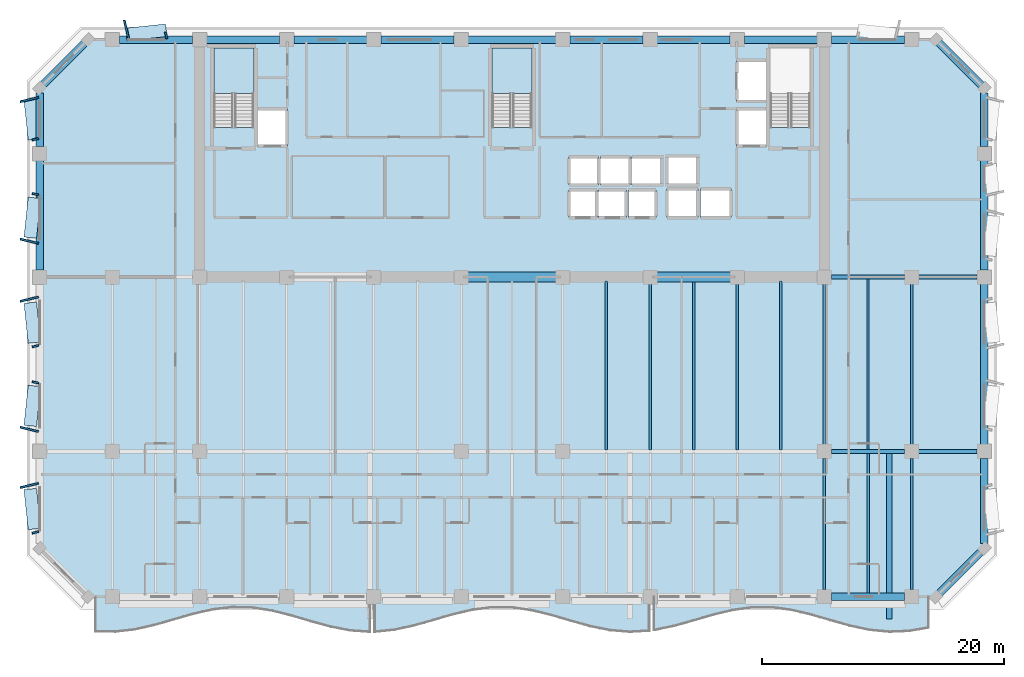
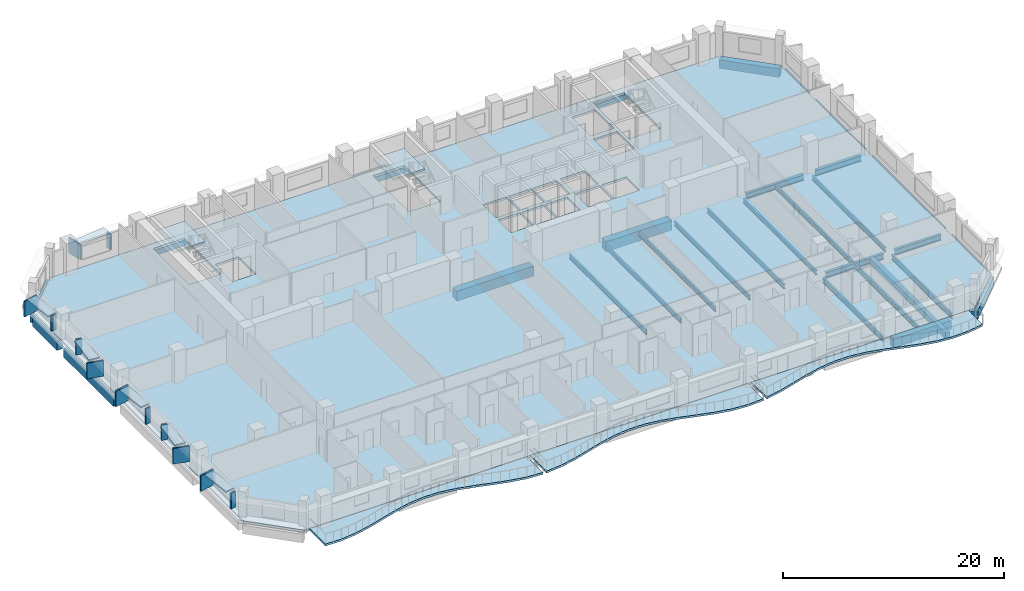
# One storey, part 2 of 15: 37 beams, 18 plates, 6 slabs, 2 elements without a shape of their own.
"""IFC4 building model written with IfcOpenShell, lengths in metres."""

from ifc_helpers import new_model, si_unit, direction, frame, origin, origin_2d, place, context, subcontext, project, spatial, polyline, rectangle, i_section, outline, extrude, material, layer, layer_set, material_profile, profile_set, type_object, element, aggregate, save


model = new_model("IFC4")

# Units and contexts
model_context = context("Model", 3, precision=1e-05, world=origin(), true_north=direction((0.0, 1.0)))
body_context = subcontext(model_context, "Body", "Model", "MODEL_VIEW")
ifc_project = project(units=[si_unit("LENGTHUNIT", "METRE"), si_unit("AREAUNIT", "SQUARE_METRE"), si_unit("VOLUMEUNIT", "CUBIC_METRE"), si_unit("PLANEANGLEUNIT", "RADIAN"), si_unit("MASSUNIT", "GRAM", prefix="KILO")], contexts=[model_context])

# Site, building, storey
site_placement = place(None, origin())
site = spatial("IfcSite", under=ifc_project, at=site_placement, CompositionType="ELEMENT")
building_placement = place(site_placement, origin())
building = spatial("IfcBuilding", under=site, at=building_placement, Name="Kaelvorn Grand Hotel", CompositionType="ELEMENT")
storey_placement = place(building_placement, frame((0.0, 0.0, 139.14990234375)))
storey = spatial("IfcBuildingStorey", under=building, at=storey_placement, Name="L33", CompositionType="ELEMENT", Elevation=139.14990234375)

# Beams
ifc_material_1 = material(Name="Steel S355", Category="steel")
ifc_material_profile_1 = material_profile(ifc_material_1, i_section(OverallWidth=0.300048828125, OverallDepth=0.64990234375, WebThickness=0.01611328125, FlangeThickness=0.031005859375, FilletRadius=0.027099609375, at=origin_2d()), Name="HEB 650")
ifc_profile_set_1 = profile_set([ifc_material_profile_1], Name="Steel S355")
beam_type_1 = type_object("IfcBeamType", Name="BM-G-HEB650-S355", PredefinedType="BEAM", material=ifc_profile_set_1)
beam_1_placement = place(storey_placement, frame((68.385009765625, 15.0, -0.56494140625), z_axis=(1.0, 0.0, 0.0), x_axis=(0.0, 1.0, 0.0)))
element("IfcBeam", 1, at=beam_1_placement, inside=storey, type_object=beam_type_1, Name="L33 Primary Spine Steel Girder G-15 06", PredefinedType="BEAM", context=body_context, shape_type="SweptSolid", body=[
    extrude(i_section(OverallWidth=0.300048828125, OverallDepth=0.64990234375, WebThickness=0.01611328125, FlangeThickness=0.031005859375, FilletRadius=0.027099609375, at=origin_2d()), origin(), (0.0, 0.0, 1.0), 6.030029296875),
])
beam_2_placement = place(storey_placement, frame((75.5849609375, 15.0, -0.56494140625), z_axis=(1.0, 0.0, 0.0), x_axis=(0.0, 1.0, 0.0)))
element("IfcBeam", 2, at=beam_2_placement, inside=storey, type_object=beam_type_1, Name="L33 Primary Spine Steel Girder G-15 07", PredefinedType="BEAM", context=body_context, shape_type="SweptSolid", body=[
    extrude(i_section(OverallWidth=0.300048828125, OverallDepth=0.64990234375, WebThickness=0.01611328125, FlangeThickness=0.031005859375, FilletRadius=0.027099609375, at=origin_2d()), origin(), (0.0, 0.0, 1.0), 4.830078125),
])
beam_3_placement = place(storey_placement, frame((68.385009765625, 29.39990234375, -0.56494140625), z_axis=(1.0, 0.0, 0.0), x_axis=(0.0, 1.0, 0.0)))
element("IfcBeam", 3, at=beam_3_placement, inside=storey, type_object=beam_type_1, Name="L33 East Core Wing Steel Girder G-29E 01", PredefinedType="BEAM", context=body_context, shape_type="SweptSolid", body=[
    extrude(i_section(OverallWidth=0.300048828125, OverallDepth=0.64990234375, WebThickness=0.01611328125, FlangeThickness=0.031005859375, FilletRadius=0.027099609375, at=origin_2d()), origin(), (0.0, 0.0, 1.0), 6.030029296875),
])
beam_4_placement = place(storey_placement, frame((75.5849609375, 29.39990234375, -0.56494140625), z_axis=(1.0, 0.0, 0.0), x_axis=(0.0, 1.0, 0.0)))
element("IfcBeam", 4, at=beam_4_placement, inside=storey, type_object=beam_type_1, Name="L33 East Core Wing Steel Girder G-29E 02", PredefinedType="BEAM", context=body_context, shape_type="SweptSolid", body=[
    extrude(i_section(OverallWidth=0.300048828125, OverallDepth=0.64990234375, WebThickness=0.01611328125, FlangeThickness=0.031005859375, FilletRadius=0.027099609375, at=origin_2d()), origin(), (0.0, 0.0, 1.0), 4.830078125),
])
ifc_material_profile_2 = material_profile(ifc_material_1, i_section(OverallWidth=0.199951171875, OverallDepth=0.5, WebThickness=0.01025390625, FlangeThickness=0.01611328125, FilletRadius=0.02099609375, at=origin_2d()), Name="IPE 500")
ifc_profile_set_2 = profile_set([ifc_material_profile_2], Name="Steel S355")
beam_type_2 = type_object("IfcBeamType", Name="BM-J-IPE500-S355", PredefinedType="JOIST", material=ifc_profile_set_2)
beam_5_placement = place(storey_placement, frame((49.800048828125, 15.135009765625, -0.489990234375), z_axis=(0.0, 1.0, 0.0), x_axis=(-1.0, 0.0, 0.0)))
element("IfcBeam", 5, at=beam_5_placement, inside=storey, type_object=beam_type_2, Name="L33 Composite Floor Joist JM-14", PredefinedType="JOIST", context=body_context, shape_type="SweptSolid", body=[
    extrude(i_section(OverallWidth=0.199951171875, OverallDepth=0.5, WebThickness=0.01025390625, FlangeThickness=0.01611328125, FilletRadius=0.02099609375, at=origin_2d()), origin(), (0.0, 0.0, 1.0), 13.925048828125),
])
beam_6_placement = place(storey_placement, frame((53.39990234375, 15.135009765625, -0.489990234375), z_axis=(0.0, 1.0, 0.0), x_axis=(-1.0, 0.0, 0.0)))
element("IfcBeam", 6, at=beam_6_placement, inside=storey, type_object=beam_type_2, Name="L33 Composite Floor Joist JM-15", PredefinedType="JOIST", context=body_context, shape_type="SweptSolid", body=[
    extrude(i_section(OverallWidth=0.199951171875, OverallDepth=0.5, WebThickness=0.01025390625, FlangeThickness=0.01611328125, FilletRadius=0.02099609375, at=origin_2d()), origin(), (0.0, 0.0, 1.0), 13.679931640625),
])
beam_7_placement = place(storey_placement, frame((57.0, 15.135009765625, -0.489990234375), z_axis=(0.0, 1.0, 0.0), x_axis=(-1.0, 0.0, 0.0)))
element("IfcBeam", 7, at=beam_7_placement, inside=storey, type_object=beam_type_2, Name="L33 Composite Floor Joist JM-16", PredefinedType="JOIST", context=body_context, shape_type="SweptSolid", body=[
    extrude(i_section(OverallWidth=0.199951171875, OverallDepth=0.5, WebThickness=0.01025390625, FlangeThickness=0.01611328125, FilletRadius=0.02099609375, at=origin_2d()), origin(), (0.0, 0.0, 1.0), 13.925048828125),
])
beam_8_placement = place(storey_placement, frame((60.60009765625, 15.135009765625, -0.489990234375), z_axis=(0.0, 1.0, 0.0), x_axis=(-1.0, 0.0, 0.0)))
element("IfcBeam", 8, at=beam_8_placement, inside=storey, type_object=beam_type_2, Name="L33 Composite Floor Joist JM-17", PredefinedType="JOIST", context=body_context, shape_type="SweptSolid", body=[
    extrude(i_section(OverallWidth=0.199951171875, OverallDepth=0.5, WebThickness=0.01025390625, FlangeThickness=0.01611328125, FilletRadius=0.02099609375, at=origin_2d()), origin(), (0.0, 0.0, 1.0), 13.679931640625),
])
beam_9_placement = place(storey_placement, frame((64.199951171875, 15.135009765625, -0.489990234375), z_axis=(0.0, 1.0, 0.0), x_axis=(-1.0, 0.0, 0.0)))
element("IfcBeam", 9, at=beam_9_placement, inside=storey, type_object=beam_type_2, Name="L33 Composite Floor Joist JM-18", PredefinedType="JOIST", context=body_context, shape_type="SweptSolid", body=[
    extrude(i_section(OverallWidth=0.199951171875, OverallDepth=0.5, WebThickness=0.01025390625, FlangeThickness=0.01611328125, FilletRadius=0.02099609375, at=origin_2d()), origin(), (0.0, 0.0, 1.0), 13.925048828125),
])
beam_10_placement = place(storey_placement, frame((67.800048828125, 15.5849609375, -0.489990234375), z_axis=(0.0, 1.0, 0.0), x_axis=(-1.0, 0.0, 0.0)))
element("IfcBeam", 10, at=beam_10_placement, inside=storey, type_object=beam_type_2, Name="L33 Composite Floor Joist JM-19", PredefinedType="JOIST", context=body_context, shape_type="SweptSolid", body=[
    extrude(i_section(OverallWidth=0.199951171875, OverallDepth=0.5, WebThickness=0.01025390625, FlangeThickness=0.01611328125, FilletRadius=0.02099609375, at=origin_2d()), origin(), (0.0, 0.0, 1.0), 13.22998046875),
])
beam_11_placement = place(storey_placement, frame((71.39990234375, 15.135009765625, -0.489990234375), z_axis=(0.0, 1.0, 0.0), x_axis=(-1.0, 0.0, 0.0)))
element("IfcBeam", 11, at=beam_11_placement, inside=storey, type_object=beam_type_2, Name="L33 Composite Floor Joist JM-20", PredefinedType="JOIST", context=body_context, shape_type="SweptSolid", body=[
    extrude(i_section(OverallWidth=0.199951171875, OverallDepth=0.5, WebThickness=0.01025390625, FlangeThickness=0.01611328125, FilletRadius=0.02099609375, at=origin_2d()), origin(), (0.0, 0.0, 1.0), 14.1298828125),
])
beam_12_placement = place(storey_placement, frame((75.0, 15.5849609375, -0.489990234375), z_axis=(0.0, 1.0, 0.0), x_axis=(-1.0, 0.0, 0.0)))
element("IfcBeam", 12, at=beam_12_placement, inside=storey, type_object=beam_type_2, Name="L33 Composite Floor Joist JM-21", PredefinedType="JOIST", context=body_context, shape_type="SweptSolid", body=[
    extrude(i_section(OverallWidth=0.199951171875, OverallDepth=0.5, WebThickness=0.01025390625, FlangeThickness=0.01611328125, FilletRadius=0.02099609375, at=origin_2d()), origin(), (0.0, 0.0, 1.0), 13.22998046875),
])
ifc_material_profile_3 = material_profile(ifc_material_1, i_section(OverallWidth=0.2099609375, OverallDepth=0.550048828125, WebThickness=0.010986328125, FlangeThickness=0.01708984375, FilletRadius=0.02392578125, at=origin_2d()), Name="IPE 550")
ifc_profile_set_3 = profile_set([ifc_material_profile_3], Name="Steel S355")
beam_type_3 = type_object("IfcBeamType", Name="BM-J-IPE550-S355", PredefinedType="JOIST", material=ifc_profile_set_3)
beam_13_placement = place(storey_placement, frame((67.800048828125, 3.5849609375, -0.514892578125), z_axis=(0.0, 1.0, 0.0), x_axis=(-1.0, 0.0, 0.0)))
element("IfcBeam", 13, at=beam_13_placement, inside=storey, type_object=beam_type_3, Name="L33 Composite Floor Joist JS-19", PredefinedType="JOIST", context=body_context, shape_type="SweptSolid", body=[
    extrude(i_section(OverallWidth=0.2099609375, OverallDepth=0.550048828125, WebThickness=0.010986328125, FlangeThickness=0.01708984375, FilletRadius=0.02392578125, at=origin_2d()), origin(), (0.0, 0.0, 1.0), 10.830078125),
])
beam_14_placement = place(storey_placement, frame((71.39990234375, 3.31005859375, -0.514892578125), z_axis=(0.0, 1.0, 0.0), x_axis=(-1.0, 0.0, 0.0)))
element("IfcBeam", 14, at=beam_14_placement, inside=storey, type_object=beam_type_3, Name="L33 Composite Floor Joist JS-20", PredefinedType="JOIST", context=body_context, shape_type="SweptSolid", body=[
    extrude(i_section(OverallWidth=0.2099609375, OverallDepth=0.550048828125, WebThickness=0.010986328125, FlangeThickness=0.01708984375, FilletRadius=0.02392578125, at=origin_2d()), origin(), (0.0, 0.0, 1.0), 11.554931640625),
])
beam_15_placement = place(storey_placement, frame((75.0, 3.5849609375, -0.514892578125), z_axis=(0.0, 1.0, 0.0), x_axis=(-1.0, 0.0, 0.0)))
element("IfcBeam", 15, at=beam_15_placement, inside=storey, type_object=beam_type_3, Name="L33 Composite Floor Joist JS-21", PredefinedType="JOIST", context=body_context, shape_type="SweptSolid", body=[
    extrude(i_section(OverallWidth=0.2099609375, OverallDepth=0.550048828125, WebThickness=0.010986328125, FlangeThickness=0.01708984375, FilletRadius=0.02392578125, at=origin_2d()), origin(), (0.0, 0.0, 1.0), 10.830078125),
])
ifc_material_2 = material(Name="Concrete C60/75", Category="concrete")
ifc_material_profile_4 = material_profile(ifc_material_2, rectangle(XDim=0.800048828125, YDim=1.10009765625, at=origin_2d()), Name="RC LINTEL 800x1100")
ifc_profile_set_4 = profile_set([ifc_material_profile_4], Name="Concrete C60/75")
beam_type_4 = type_object("IfcBeamType", Name="BM-LIN-800x1100-C60", PredefinedType="LINTEL", material=ifc_profile_set_4)
beam_16_placement = place(storey_placement, frame((37.97998046875, 29.39990234375, -0.789794921875), z_axis=(1.0, 0.0, 0.0), x_axis=(0.0, 1.0, 0.0)))
element("IfcBeam", 16, at=beam_16_placement, inside=storey, type_object=beam_type_4, Name="L33 Rear-Core Coupling Lintel Beam CB1-02", PredefinedType="LINTEL", context=body_context, shape_type="SweptSolid", body=[
    extrude(rectangle(XDim=0.800048828125, YDim=1.10009765625, at=origin_2d()), origin(), (0.0, 0.0, 1.0), 8.0400390625),
])
beam_17_placement = place(storey_placement, frame((53.580078125, 29.39990234375, -0.789794921875), z_axis=(1.0, 0.0, 0.0), x_axis=(0.0, 1.0, 0.0)))
element("IfcBeam", 17, at=beam_17_placement, inside=storey, type_object=beam_type_4, Name="L33 Rear-Core Coupling Lintel Beam CB1-03", PredefinedType="LINTEL", context=body_context, shape_type="SweptSolid", body=[
    extrude(rectangle(XDim=0.800048828125, YDim=1.10009765625, at=origin_2d()), origin(), (0.0, 0.0, 1.0), 6.83984375),
])
ifc_material_3 = material(Name="Concrete C40/50", Category="concrete")
ifc_material_profile_5 = material_profile(ifc_material_3, rectangle(XDim=0.449951171875, YDim=0.64990234375, at=origin_2d()), Name="RC RIB 450x650")
ifc_profile_set_5 = profile_set([ifc_material_profile_5], Name="Concrete C40/50")
beam_type_5 = type_object("IfcBeamType", Name="BM-RIB-450x650-C40", PredefinedType="SPANDREL", material=ifc_profile_set_5)
beam_18_placement = place(storey_placement, frame((73.161865234375, 1.14990234375, -0.544921875), z_axis=(0.0, 1.0, 0.0), x_axis=(-1.0, 0.0, 0.0)))
element("IfcBeam", 18, at=beam_18_placement, inside=storey, type_object=beam_type_5, Name="L33 Cantilevered Balcony Back-Span Rib RB1-3", PredefinedType="SPANDREL", context=body_context, shape_type="SweptSolid", body=[
    extrude(rectangle(XDim=0.449951171875, YDim=0.64990234375, at=origin_2d()), origin(), (0.0, 0.0, 1.0), 13.715087890625),
])
ifc_material_profile_6 = material_profile(ifc_material_2, rectangle(XDim=0.64990234375, YDim=0.949951171875, at=origin_2d()), Name="RC SPANDREL 650x950")
ifc_profile_set_6 = profile_set([ifc_material_profile_6], Name="Concrete C60/75")
beam_type_6 = type_object("IfcBeamType", Name="BM-SP-650x950-C60", PredefinedType="SPANDREL", material=ifc_profile_set_6)
for number, where, z_axis, x_axis, name in (
    (19, (68.385009765625, 3.0, -0.71484375), (1.0, 0.0, 0.0), (0.0, 1.0, 0.0), "L33 South Perimeter Spandrel 10"),
    (20, (9.5849609375, 49.0, -0.71484375), (1.0, 0.0, 0.0), (0.0, 1.0, 0.0), "L33 North Perimeter Spandrel 02"),
    (21, (16.784912109375, 49.0, -0.71484375), (1.0, 0.0, 0.0), (0.0, 1.0, 0.0), "L33 North Perimeter Spandrel 03"),
):
    element("IfcBeam", number, at=place(storey_placement, frame(where, z_axis=z_axis, x_axis=x_axis)), inside=storey, type_object=beam_type_6, Name=name, PredefinedType="SPANDREL", context=body_context, shape_type="SweptSolid", body=[
        extrude(rectangle(XDim=0.64990234375, YDim=0.949951171875, at=origin_2d()), origin(), (0.0, 0.0, 1.0), 6.030029296875),
    ])
beam_19_placement = place(storey_placement, frame((23.985107421875, 49.0, -0.71484375), z_axis=(1.0, 0.0, 0.0), x_axis=(0.0, 1.0, 0.0)))
element("IfcBeam", 22, at=beam_19_placement, inside=storey, type_object=beam_type_6, Name="L33 North Perimeter Spandrel 04", PredefinedType="SPANDREL", context=body_context, shape_type="SweptSolid", body=[
    extrude(rectangle(XDim=0.64990234375, YDim=0.949951171875, at=origin_2d()), origin(), (0.0, 0.0, 1.0), 6.02978515625),
])
beam_20_placement = place(storey_placement, frame((31.18505859375, 49.0, -0.71484375), z_axis=(1.0, 0.0, 0.0), x_axis=(0.0, 1.0, 0.0)))
element("IfcBeam", 23, at=beam_20_placement, inside=storey, type_object=beam_type_6, Name="L33 North Perimeter Spandrel 05", PredefinedType="SPANDREL", context=body_context, shape_type="SweptSolid", body=[
    extrude(rectangle(XDim=0.64990234375, YDim=0.949951171875, at=origin_2d()), origin(), (0.0, 0.0, 1.0), 6.030029296875),
])
beam_21_placement = place(storey_placement, frame((38.385009765625, 49.0, -0.71484375), z_axis=(1.0, 0.0, 0.0), x_axis=(0.0, 1.0, 0.0)))
element("IfcBeam", 24, at=beam_21_placement, inside=storey, type_object=beam_type_6, Name="L33 North Perimeter Spandrel 06", PredefinedType="SPANDREL", context=body_context, shape_type="SweptSolid", body=[
    extrude(rectangle(XDim=0.64990234375, YDim=0.949951171875, at=origin_2d()), origin(), (0.0, 0.0, 1.0), 7.22998046875),
])
beam_22_placement = place(storey_placement, frame((46.784912109375, 49.0, -0.71484375), z_axis=(1.0, 0.0, 0.0), x_axis=(0.0, 1.0, 0.0)))
element("IfcBeam", 25, at=beam_22_placement, inside=storey, type_object=beam_type_6, Name="L33 North Perimeter Spandrel 07", PredefinedType="SPANDREL", context=body_context, shape_type="SweptSolid", body=[
    extrude(rectangle(XDim=0.64990234375, YDim=0.949951171875, at=origin_2d()), origin(), (0.0, 0.0, 1.0), 6.030029296875),
])
beam_23_placement = place(storey_placement, frame((53.985107421875, 49.0, -0.71484375), z_axis=(1.0, 0.0, 0.0), x_axis=(0.0, 1.0, 0.0)))
element("IfcBeam", 26, at=beam_23_placement, inside=storey, type_object=beam_type_6, Name="L33 North Perimeter Spandrel 08", PredefinedType="SPANDREL", context=body_context, shape_type="SweptSolid", body=[
    extrude(rectangle(XDim=0.64990234375, YDim=0.949951171875, at=origin_2d()), origin(), (0.0, 0.0, 1.0), 6.02978515625),
])
for number, where, z_axis, x_axis, name in (
    (27, (61.18505859375, 49.0, -0.71484375), (1.0, 0.0, 0.0), (0.0, 1.0, 0.0), "L33 North Perimeter Spandrel 09"),
    (28, (68.385009765625, 49.0, -0.71484375), (1.0, 0.0, 0.0), (0.0, 1.0, 0.0), "L33 North Perimeter Spandrel 10"),
):
    element("IfcBeam", number, at=place(storey_placement, frame(where, z_axis=z_axis, x_axis=x_axis)), inside=storey, type_object=beam_type_6, Name=name, PredefinedType="SPANDREL", context=body_context, shape_type="SweptSolid", body=[
        extrude(rectangle(XDim=0.64990234375, YDim=0.949951171875, at=origin_2d()), origin(), (0.0, 0.0, 1.0), 6.030029296875),
    ])
beam_24_placement = place(storey_placement, frame((3.0, 29.985107421875, -0.71484375), z_axis=(0.0, 1.0, 0.0), x_axis=(-1.0, 0.0, 0.0)))
element("IfcBeam", 29, at=beam_24_placement, inside=storey, type_object=beam_type_6, Name="L33 West Perimeter Spandrel 03", PredefinedType="SPANDREL", context=body_context, shape_type="SweptSolid", body=[
    extrude(rectangle(XDim=0.64990234375, YDim=0.949951171875, at=origin_2d()), origin(), (0.0, 0.0, 1.0), 9.02978515625),
])
beam_25_placement = place(storey_placement, frame((3.0, 40.18505859375, -0.71484375), z_axis=(0.0, 1.0, 0.0), x_axis=(-1.0, 0.0, 0.0)))
element("IfcBeam", 30, at=beam_25_placement, inside=storey, type_object=beam_type_6, Name="L33 West Perimeter Spandrel 04", PredefinedType="SPANDREL", context=body_context, shape_type="SweptSolid", body=[
    extrude(rectangle(XDim=0.64990234375, YDim=0.949951171875, at=origin_2d()), origin(), (0.0, 0.0, 1.0), 4.409912109375),
])
beam_26_placement = place(storey_placement, frame((81.0, 7.405029296875, -0.71484375), z_axis=(0.0, 1.0, 0.0), x_axis=(-1.0, 0.0, 0.0)))
element("IfcBeam", 31, at=beam_26_placement, inside=storey, type_object=beam_type_6, Name="L33 East Perimeter Spandrel 01", PredefinedType="SPANDREL", context=body_context, shape_type="SweptSolid", body=[
    extrude(rectangle(XDim=0.64990234375, YDim=0.949951171875, at=origin_2d()), origin(), (0.0, 0.0, 1.0), 7.010009765625),
])
beam_27_placement = place(storey_placement, frame((81.0, 15.5849609375, -0.71484375), z_axis=(0.0, 1.0, 0.0), x_axis=(-1.0, 0.0, 0.0)))
element("IfcBeam", 32, at=beam_27_placement, inside=storey, type_object=beam_type_6, Name="L33 East Perimeter Spandrel 02", PredefinedType="SPANDREL", context=body_context, shape_type="SweptSolid", body=[
    extrude(rectangle(XDim=0.64990234375, YDim=0.949951171875, at=origin_2d()), origin(), (0.0, 0.0, 1.0), 13.22998046875),
])
beam_28_placement = place(storey_placement, frame((81.0, 29.985107421875, -0.71484375), z_axis=(0.0, 1.0, 0.0), x_axis=(-1.0, 0.0, 0.0)))
element("IfcBeam", 33, at=beam_28_placement, inside=storey, type_object=beam_type_6, Name="L33 East Perimeter Spandrel 03", PredefinedType="SPANDREL", context=body_context, shape_type="SweptSolid", body=[
    extrude(rectangle(XDim=0.64990234375, YDim=0.949951171875, at=origin_2d()), origin(), (0.0, 0.0, 1.0), 9.02978515625),
])
beam_29_placement = place(storey_placement, frame((81.0, 40.18505859375, -0.71484375), z_axis=(0.0, 1.0, 0.0), x_axis=(-1.0, 0.0, 0.0)))
element("IfcBeam", 34, at=beam_29_placement, inside=storey, type_object=beam_type_6, Name="L33 East Perimeter Spandrel 04", PredefinedType="SPANDREL", context=body_context, shape_type="SweptSolid", body=[
    extrude(rectangle(XDim=0.64990234375, YDim=0.949951171875, at=origin_2d()), origin(), (0.0, 0.0, 1.0), 4.409912109375),
])
for number, where, z_axis, x_axis, name in (
    (35, (77.0, 3.0, -0.71484375), (0.707106781187, 0.707106781187, 0.0), (-0.707106781187, 0.707106781187, 0.0), "L33 Chamfer Spandrel Beam 1"),
    (36, (81.0, 45.0, -0.71484375), (-0.707106781187, 0.707106781187, 0.0), (-0.707106781187, -0.707106781187, 0.0), "L33 Chamfer Spandrel Beam 2"),
    (37, (7.0, 49.0, -0.71484375), (-0.707106781187, -0.707106781187, 0.0), (0.707106781187, -0.707106781187, 0.0), "L33 Chamfer Spandrel Beam 3"),
):
    element("IfcBeam", number, at=place(storey_placement, frame(where, z_axis=z_axis, x_axis=x_axis)), inside=storey, type_object=beam_type_6, Name=name, PredefinedType="SPANDREL", context=body_context, shape_type="SweptSolid", body=[
        extrude(rectangle(XDim=0.64990234375, YDim=0.949951171875, at=origin_2d()), origin(), (0.0, 0.0, 1.0), 5.65673828125),
    ])

# Plates
ifc_material_4 = material(Name="Precast concrete C45/55", Category="concrete")
ifc_layer_1 = layer(ifc_material_4, 0.159912109375)
ifc_layer_set_1 = layer_set([ifc_layer_1], Name="Precast concrete C45/55")
plate_type_1 = type_object("IfcPlateType", Name="PL-FRAME-DEEP-1550", PredefinedType="USERDEFINED", material=ifc_layer_set_1)
for number, where, z_axis, x_axis, name in (
    (38, (2.14501953125, 12.18994140625, 0.81494140625), (0.0, 0.0, 1.0), (-0.233445363856, 0.972369920398, 0.0), "L33 Tilted Precast Window Frame Fin R-W01"),
    (39, (2.14501953125, 16.824951171875, 0.81494140625), (0.0, 0.0, 1.0), (0.233445363856, 0.972369920398, 0.0), "L33 Tilted Precast Window Frame Fin L-W02"),
    (40, (2.14501953125, 27.574951171875, 0.81494140625), (0.0, 0.0, 1.0), (-0.233445363856, 0.972369920398, 0.0), "L33 Tilted Precast Window Frame Fin R-W03"),
    (41, (2.14501953125, 32.360107421875, 0.81494140625), (0.0, 0.0, 1.0), (0.233445363856, 0.972369920398, 0.0), "L33 Tilted Precast Window Frame Fin L-W04"),
    (42, (2.14501953125, 44.054931640625, 0.740234375), (0.0, 0.0, 1.0), (-0.233445363856, 0.972369920398, 0.0), "L33 Tilted Precast Window Frame Fin R-W05"),
    (43, (10.159912109375, 49.85498046875, 0.740234375), (0.0, 0.0, 1.0), (0.972369920398, 0.233445363856, 0.0), "L33 Tilted Precast Window Frame Fin L-N01"),
):
    element("IfcPlate", number, at=place(storey_placement, frame(where, z_axis=z_axis, x_axis=x_axis)), inside=storey, type_object=plate_type_1, Name=name, ObjectType="FLANGE_PLATE", PredefinedType="USERDEFINED", context=body_context, shape_type="SweptSolid", body=[
        extrude(rectangle(XDim=0.159912109375, YDim=1.550048828125, at=origin_2d()), origin(), (0.0, 0.0, 1.0), 1.719970703125),
    ])
ifc_layer_2 = layer(ifc_material_4, 0.159912109375)
ifc_layer_set_2 = layer_set([ifc_layer_2], Name="Precast concrete C45/55")
plate_type_2 = type_object("IfcPlateType", Name="PL-FRAME-HEAD-1050", PredefinedType="USERDEFINED", material=ifc_layer_set_2)
for number, where, z_axis, x_axis, name in (
    (44, (2.39501953125, 10.25, 2.5), (0.0, 0.0, 1.0), (-0.105830199459, 0.994384215926, 0.0), "L33 Precast Window Frame Head Hood H-W01"),
    (45, (2.39501953125, 18.764892578125, 2.5), (0.0, 0.0, 1.0), (0.105830199459, 0.994384215926, 0.0), "L33 Precast Window Frame Head Hood H-W02"),
    (46, (2.39501953125, 25.635009765625, 2.5), (0.0, 0.0, 1.0), (-0.105830199459, 0.994384215926, 0.0), "L33 Precast Window Frame Head Hood H-W03"),
    (47, (2.39501953125, 34.300048828125, 2.5), (0.0, 0.0, 1.0), (0.105830199459, 0.994384215926, 0.0), "L33 Precast Window Frame Head Hood H-W04"),
    (48, (2.39501953125, 42.4150390625, 2.35009765625), (0.0, 0.0, 1.0), (-0.105830199459, 0.994384215926, 0.0), "L33 Precast Window Frame Head Hood H-W05"),
    (49, (11.800048828125, 49.60498046875, 2.35009765625), (0.0, 0.0, 1.0), (0.994384215926, 0.105830199459, 0.0), "L33 Precast Window Frame Head Hood H-N01"),
):
    element("IfcPlate", number, at=place(storey_placement, frame(where, z_axis=z_axis, x_axis=x_axis)), inside=storey, type_object=plate_type_2, Name=name, ObjectType="FLANGE_PLATE", PredefinedType="USERDEFINED", context=body_context, shape_type="SweptSolid", body=[
        extrude(rectangle(XDim=3.320068359375, YDim=1.050048828125, at=origin_2d()), origin(), (0.0, 0.0, 1.0), 0.159912109375),
    ])
ifc_layer_3 = layer(ifc_material_4, 0.159912109375)
ifc_layer_set_3 = layer_set([ifc_layer_3], Name="Precast concrete C45/55")
plate_type_3 = type_object("IfcPlateType", Name="PL-FRAME-SHAL-550", PredefinedType="USERDEFINED", material=ifc_layer_set_3)
for number, where, z_axis, x_axis, name in (
    (50, (2.64501953125, 8.31005859375, 0.81494140625), (0.0, 0.0, 1.0), (-0.233445363856, 0.972369920398, 0.0), "L33 Tilted Precast Window Frame Fin L-W01"),
    (51, (2.64501953125, 20.705078125, 0.81494140625), (0.0, 0.0, 1.0), (0.233445363856, 0.972369920398, 0.0), "L33 Tilted Precast Window Frame Fin R-W02"),
    (52, (2.64501953125, 23.695068359375, 0.81494140625), (0.0, 0.0, 1.0), (-0.233445363856, 0.972369920398, 0.0), "L33 Tilted Precast Window Frame Fin L-W03"),
    (53, (2.64501953125, 36.239990234375, 0.81494140625), (0.0, 0.0, 1.0), (0.233445363856, 0.972369920398, 0.0), "L33 Tilted Precast Window Frame Fin R-W04"),
    (54, (2.64501953125, 40.77490234375, 0.740234375), (0.0, 0.0, 1.0), (-0.233445363856, 0.972369920398, 0.0), "L33 Tilted Precast Window Frame Fin L-W05"),
    (55, (13.43994140625, 49.35498046875, 0.740234375), (0.0, 0.0, 1.0), (0.972369920398, 0.233445363856, 0.0), "L33 Tilted Precast Window Frame Fin R-N01"),
):
    element("IfcPlate", number, at=place(storey_placement, frame(where, z_axis=z_axis, x_axis=x_axis)), inside=storey, type_object=plate_type_3, Name=name, ObjectType="FLANGE_PLATE", PredefinedType="USERDEFINED", context=body_context, shape_type="SweptSolid", body=[
        extrude(rectangle(XDim=0.159912109375, YDim=0.550048828125, at=origin_2d()), origin(), (0.0, 0.0, 1.0), 1.719970703125),
    ])

# Slabs
ifc_layer_4 = layer(ifc_material_3, 0.219970703125)
ifc_layer_set_4 = layer_set([ifc_layer_4], Name="Concrete C40/50")
slab_type_1 = type_object("IfcSlabType", Name="SLB-BALC-220-C40", PredefinedType="FLOOR", material=ifc_layer_set_4)
slab_1_placement = place(storey_placement, frame((0.0, 0.0, -0.219970703125)))
element("IfcSlab", 56, at=slab_1_placement, inside=storey, type_object=slab_type_1, Name="L33 Scalloped Wave Balcony Slab 1", PredefinedType="FLOOR", context=body_context, shape_type="SweptSolid", body=[
    extrude(outline(polyline([(7.60009765625, 0.150146484375), (9.218994140625, 0.112548828125), (10.838134765625, 0.29541015625), (12.45703125, 0.658935546875), (14.076171875, 1.123779296875), (15.6953125, 1.589111328125), (17.314208984375, 1.953125), (18.933349609375, 2.136962890625), (20.552490234375, 2.1005859375), (22.17138671875, 1.8515625), (23.79052734375, 1.4443359375), (25.409423828125, 0.9677734375), (27.028564453125, 0.525390625), (28.647705078125, 0.21337890625), (30.2666015625, 0.10009765625), (30.2666015625, 3.0), (7.60009765625, 3.0), (7.60009765625, 0.150146484375)])), origin(), (0.0, 0.0, 1.0), 0.219970703125),
])
slab_2_placement = place(storey_placement, frame((0.0, 0.0, -0.219970703125)))
element("IfcSlab", 57, at=slab_2_placement, inside=storey, type_object=slab_type_1, Name="L33 Scalloped Wave Balcony Slab 2", PredefinedType="FLOOR", context=body_context, shape_type="SweptSolid", body=[
    extrude(outline(polyline([(30.666748046875, 0.1064453125), (32.28564453125, 0.26953125), (33.90478515625, 0.618896484375), (35.52392578125, 1.078369140625), (37.142822265625, 1.548095703125), (38.761962890625, 1.92578125), (40.380859375, 2.12890625), (42.0, 2.113525390625), (43.619140625, 1.8828125), (45.238037109375, 1.4873046875), (46.857177734375, 1.0126953125), (48.47607421875, 0.562744140625), (50.09521484375, 0.235107421875), (51.71435546875, 0.10107421875), (53.333251953125, 0.190185546875), (53.333251953125, 3.0), (30.666748046875, 3.0), (30.666748046875, 0.1064453125)])), origin(), (0.0, 0.0, 1.0), 0.219970703125),
])
slab_3_placement = place(storey_placement, frame((0.0, 0.0, -0.219970703125)))
element("IfcSlab", 58, at=slab_3_placement, inside=storey, type_object=slab_type_1, Name="L33 Scalloped Wave Balcony Slab 3", PredefinedType="FLOOR", context=body_context, shape_type="SweptSolid", body=[
    extrude(outline(polyline([(53.7333984375, 0.245361328125), (55.352294921875, 0.579833984375), (56.971435546875, 1.033203125), (58.590576171875, 1.50634765625), (60.20947265625, 1.896484375), (61.82861328125, 2.11865234375), (63.447509765625, 2.12451171875), (65.066650390625, 1.912841796875), (66.685791015625, 1.529296875), (68.3046875, 1.05810546875), (69.923828125, 0.601318359375), (71.54296875, 0.258544921875), (73.161865234375, 0.1044921875), (74.781005859375, 0.172607421875), (76.39990234375, 0.447998046875), (76.39990234375, 3.0), (53.7333984375, 3.0), (53.7333984375, 0.245361328125)])), origin(), (0.0, 0.0, 1.0), 0.219970703125),
])
ifc_layer_5 = layer(ifc_material_3, 0.239990234375)
ifc_layer_set_5 = layer_set([ifc_layer_5], Name="Concrete C40/50")
slab_type_2 = type_object("IfcSlabType", Name="SLB-FLR-240-C40", PredefinedType="FLOOR", material=ifc_layer_set_5)
slab_4_placement = place(storey_placement, frame((0.0, 0.0, -0.239990234375)))
element("IfcSlab", 59, at=slab_4_placement, inside=storey, type_object=slab_type_2, Name="L33 Indoor Suspended Floor Slab", PredefinedType="FLOOR", context=body_context, shape_type="SweptSolid", body=[
    extrude(outline(polyline([(7.0, 3.0), (77.0, 3.0), (81.0, 7.0), (81.0, 45.0), (77.0, 49.0), (7.0, 49.0), (3.0, 45.0), (3.0, 7.0), (7.0, 3.0)]), holes=[polyline([(17.39990234375, 41.760009765625), (17.39990234375, 48.300048828125), (20.679931640625, 48.300048828125), (20.679931640625, 41.760009765625), (17.39990234375, 41.760009765625)]), polyline([(40.360107421875, 41.760009765625), (40.360107421875, 48.300048828125), (43.639892578125, 48.300048828125), (43.639892578125, 41.760009765625), (40.360107421875, 41.760009765625)]), polyline([(63.320068359375, 41.760009765625), (63.320068359375, 48.300048828125), (66.60009765625, 48.300048828125), (66.60009765625, 41.760009765625), (63.320068359375, 41.760009765625)]), polyline([(46.699951171875, 34.300048828125), (46.699951171875, 36.60009765625), (49.0, 36.60009765625), (49.0, 34.300048828125), (46.699951171875, 34.300048828125)]), polyline([(49.14990234375, 34.300048828125), (49.14990234375, 36.60009765625), (51.449951171875, 36.60009765625), (51.449951171875, 34.300048828125), (49.14990234375, 34.300048828125)]), polyline([(51.60009765625, 34.300048828125), (51.60009765625, 36.60009765625), (53.89990234375, 36.60009765625), (53.89990234375, 34.300048828125), (51.60009765625, 34.300048828125)]), polyline([(46.699951171875, 37.0), (46.699951171875, 39.35009765625), (49.14990234375, 39.35009765625), (49.14990234375, 37.0), (46.699951171875, 37.0)]), polyline([(49.300048828125, 37.0), (49.300048828125, 39.35009765625), (51.75, 39.35009765625), (51.75, 37.0), (49.300048828125, 37.0)]), polyline([(51.89990234375, 37.0), (51.89990234375, 39.35009765625), (54.35009765625, 39.35009765625), (54.35009765625, 37.0), (51.89990234375, 37.0)]), polyline([(54.800048828125, 34.300048828125), (54.800048828125, 36.699951171875), (57.35009765625, 36.699951171875), (57.35009765625, 34.300048828125), (54.800048828125, 34.300048828125)]), polyline([(57.550048828125, 34.300048828125), (57.550048828125, 36.699951171875), (60.10009765625, 36.699951171875), (60.10009765625, 34.300048828125), (57.550048828125, 34.300048828125)]), polyline([(54.800048828125, 37.0), (54.800048828125, 39.39990234375), (57.35009765625, 39.39990234375), (57.35009765625, 37.0), (54.800048828125, 37.0)]), polyline([(21.0, 40.199951171875), (21.0, 43.300048828125), (23.449951171875, 43.300048828125), (23.449951171875, 40.199951171875), (21.0, 40.199951171875)]), polyline([(60.550048828125, 40.199951171875), (60.550048828125, 43.300048828125), (63.0, 43.300048828125), (63.0, 40.199951171875), (60.550048828125, 40.199951171875)]), polyline([(60.550048828125, 43.89990234375), (60.550048828125, 47.300048828125), (63.0, 47.300048828125), (63.0, 43.89990234375), (60.550048828125, 43.89990234375)])]), origin(), (0.0, 0.0, 1.0), 0.239990234375),
])

# Stair, slab
stair_type = type_object("IfcStairType", Name="STR-DOG-1560-R08", PredefinedType="HALF_TURN_STAIR", material=ifc_material_3)
stair_1_placement = place(storey_placement, origin())
stair_1 = element("IfcStair", 60, at=stair_1_placement, inside=storey, type_object=stair_type, Name="L33 West Core Exit Stair ST1", PredefinedType="HALF_TURN_STAIR")
ifc_layer_6 = layer(ifc_material_3, 0.199951171875)
ifc_layer_set_6 = layer_set([ifc_layer_6], Name="Concrete C40/50")
slab_type_3 = type_object("IfcSlabType", Name="SLB-LAND-200-C40", PredefinedType="LANDING", material=ifc_layer_set_6)
slab_5_placement = place(storey_placement, frame((0.0, 0.0, 1.7001953125)))
slab_5 = element("IfcSlab", 61, at=slab_5_placement, type_object=slab_type_3, Name="ST1 landing 1", PredefinedType="LANDING", context=body_context, shape_type="SweptSolid", body=[
    extrude(outline(polyline([(20.679931640625, 44.56005859375), (20.679931640625, 48.300048828125), (17.39990234375, 48.300048828125), (17.39990234375, 44.56005859375), (20.679931640625, 44.56005859375)])), origin(), (0.0, 0.0, 1.0), 0.199951171875),
])
aggregate(stair_1, [slab_5])

stair_2_placement = place(storey_placement, origin())
stair_2 = element("IfcStair", 62, at=stair_2_placement, inside=storey, type_object=stair_type, Name="L33 Central Core Exit Stair ST2", PredefinedType="HALF_TURN_STAIR")
slab_6_placement = place(storey_placement, frame((0.0, 0.0, 1.7001953125)))
slab_6 = element("IfcSlab", 63, at=slab_6_placement, type_object=slab_type_3, Name="ST2 landing 1", PredefinedType="LANDING", context=body_context, shape_type="SweptSolid", body=[
    extrude(outline(polyline([(43.639892578125, 44.56005859375), (43.639892578125, 48.300048828125), (40.360107421875, 48.300048828125), (40.360107421875, 44.56005859375), (43.639892578125, 44.56005859375)])), origin(), (0.0, 0.0, 1.0), 0.199951171875),
])
aggregate(stair_2, [slab_6])

save(model, "model.ifc")
